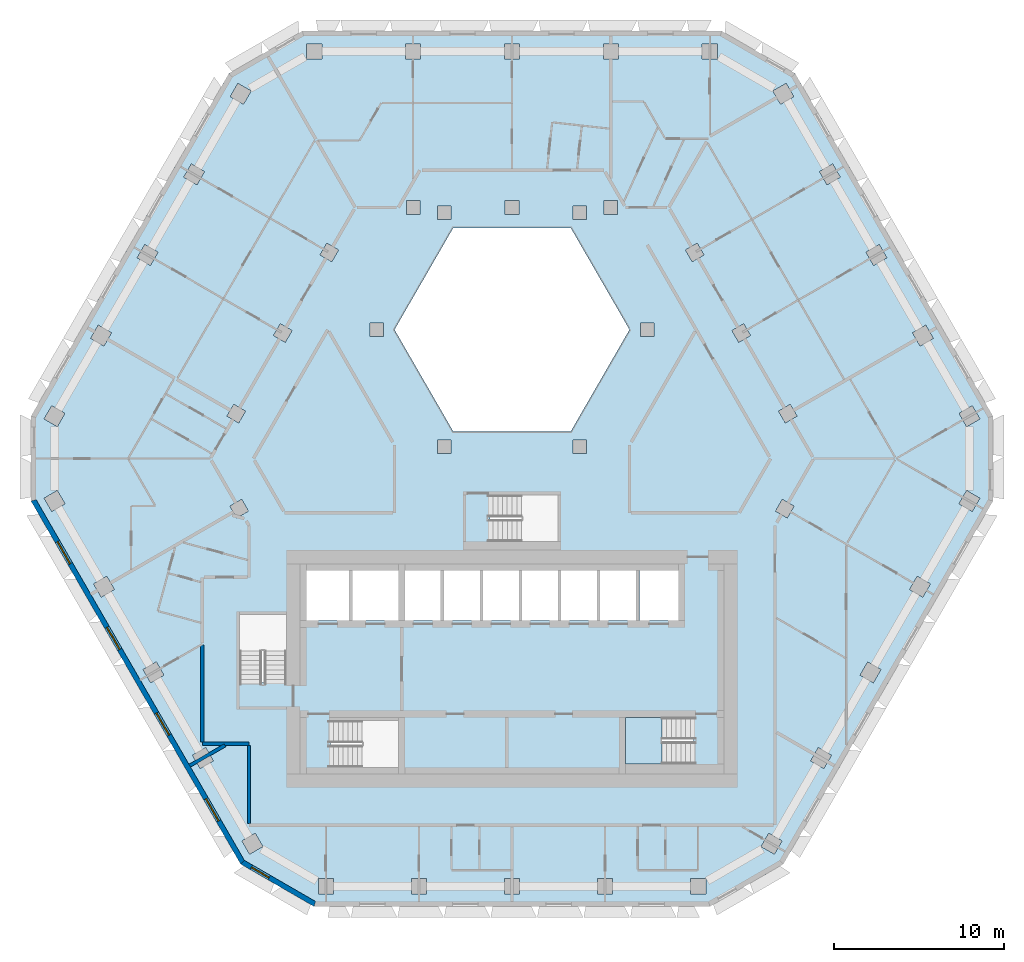
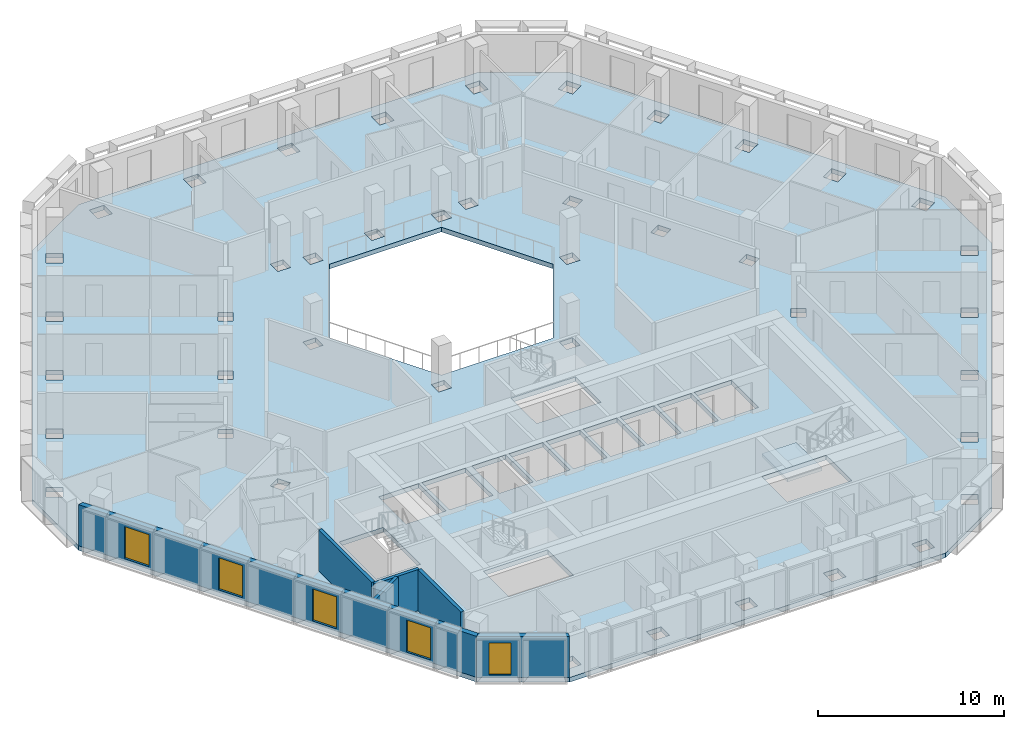
# One storey, part 2 of 15: 6 walls, 5 windows, 2 slabs, 5 openings, 1 element without a shape of its own.
"""IFC4 building model written with IfcOpenShell, lengths in metres."""

import ifcopenshell
import ifcopenshell.guid

model = None  # the IFC model being written
_history = None  # IfcOwnerHistory: only IFC2X3 demands one
_inside = {}  # id of a spatial element -> (the spatial element, [elements in it])
_under = {}  # id of a project, library or spatial element -> (it, [spatial elements below it])
_declared = {}  # id of a project -> (the project, [libraries it declares])
_typed = {}  # id of a type object -> (the type object, [elements of that type])
_made_of = {}  # id of a material, layer set ... -> (it, [elements and type objects made of it])


def new_model(schema):
    """Start an empty IFC model of exactly this schema.

    Asked for "IFC4X3", IfcOpenShell would pick the latest addendum, in which some entities
    have other attributes; the version numbers below select the first issue.
    IFC2X3 requires an IfcOwnerHistory on every rooted entity: one is made here for all.
    """
    global model, _history
    if schema == "IFC4X3":
        model = ifcopenshell.file(schema_version=(4, 3, 0, 0))
    else:
        model = ifcopenshell.file(schema=schema)
    _inside.clear()
    _under.clear()
    _declared.clear()
    _typed.clear()
    _made_of.clear()
    _history = None
    if model.schema == "IFC2X3":
        org = make("IfcOrganization", Name="unknown")
        user = make(
            "IfcPersonAndOrganization",
            ThePerson=make("IfcPerson", FamilyName="unknown"),
            TheOrganization=org,
        )
        app = make(
            "IfcApplication",
            ApplicationDeveloper=org,
            Version="unknown",
            ApplicationFullName="unknown",
            ApplicationIdentifier="unknown",
        )
        _history = make(
            "IfcOwnerHistory",
            OwningUser=user,
            OwningApplication=app,
            ChangeAction="ADDED",
            CreationDate=0,
        )
    return model


def make(cls, **values):
    """One entity of the class cls with the attributes given. An attribute that is None is left unset."""
    return model.create_entity(
        cls, **{name: value for name, value in values.items() if value is not None}
    )


def rooted(cls, **values):
    """An entity with a GlobalId (a new one), such as an element, a storey or a relation."""
    return make(cls, GlobalId=ifcopenshell.guid.new(), OwnerHistory=_history, **values)


def si_unit(unit_type, name, prefix=None):
    """IfcSIUnit, for example si_unit("LENGTHUNIT", "METRE", prefix="MILLI")."""
    return make("IfcSIUnit", UnitType=unit_type, Prefix=prefix, Name=name)


def assignment(units):
    """IfcUnitAssignment: the units of a project."""
    return None if units is None else make("IfcUnitAssignment", Units=units)


def point(xyz):
    """IfcCartesianPoint."""
    return None if xyz is None else make("IfcCartesianPoint", Coordinates=xyz)


def direction(xyz):
    """IfcDirection."""
    return None if xyz is None else make("IfcDirection", DirectionRatios=xyz)


def frame(location, z_axis=None, x_axis=None):
    """IfcAxis2Placement3D, a coordinate frame: its origin and axes. An axis left out is left unset."""
    return make(
        "IfcAxis2Placement3D",
        Location=point(location),
        Axis=direction(z_axis),
        RefDirection=direction(x_axis),
    )


def frame_2d(location, x_axis=None):
    """IfcAxis2Placement2D, a coordinate frame in the plane: its origin and x axis."""
    return make(
        "IfcAxis2Placement2D", Location=point(location), RefDirection=direction(x_axis)
    )


def origin():
    """The frame at (0, 0, 0) with its axes left unset."""
    return frame((0.0, 0.0, 0.0))


def place(relative_to, where):
    """IfcLocalPlacement: puts the frame where relative to a parent placement (None: the world)."""
    return make(
        "IfcLocalPlacement", PlacementRelTo=relative_to, RelativePlacement=where
    )


def context(
    kind, dimensions, precision=None, world=None, true_north=None, identifier=None
):
    """IfcGeometricRepresentationContext, for example the 3D "Model" context."""
    return make(
        "IfcGeometricRepresentationContext",
        ContextIdentifier=identifier,
        ContextType=kind,
        CoordinateSpaceDimension=dimensions,
        Precision=precision,
        WorldCoordinateSystem=world,
        TrueNorth=true_north,
    )


def subcontext(parent, identifier, kind, view, scale=None):
    """IfcGeometricRepresentationSubContext, for example "Body" below "Model"."""
    return make(
        "IfcGeometricRepresentationSubContext",
        ContextIdentifier=identifier,
        ContextType=kind,
        ParentContext=parent,
        TargetScale=scale,
        TargetView=view,
    )


def project(units=None, contexts=None):
    """IfcProject with its units and contexts."""
    return rooted(
        "IfcProject",
        Name="project",
        RepresentationContexts=contexts,
        UnitsInContext=assignment(units),
    )


def spatial(cls, under=None, at=None, **own):
    """A site, building, storey or space (cls), placed at a placement, below another one or the project."""
    s = rooted(cls, ObjectPlacement=at, **own)
    if under is not None:
        _under.setdefault(under.id(), (under, []))[1].append(s)
    return s


def polyline(points):
    """IfcPolyline through the points."""
    return make("IfcPolyline", Points=[point(p) for p in points])


def profile(cls, at=None, kind="AREA", **sizes):
    """A parametric profile (cls). Its sizes go by their IFC names, for example OverallWidth=200.0."""
    return make(cls, ProfileType=kind, Position=at, **sizes)


def rectangle(**sizes):
    """IfcRectangleProfileDef."""
    return profile("IfcRectangleProfileDef", **sizes)


def outline(outer, holes=None, kind="AREA"):
    """IfcArbitraryClosedProfileDef: a profile drawn as a closed curve; with holes, ...WithVoids."""
    if holes is None:
        return make("IfcArbitraryClosedProfileDef", ProfileType=kind, OuterCurve=outer)
    return make(
        "IfcArbitraryProfileDefWithVoids",
        ProfileType=kind,
        OuterCurve=outer,
        InnerCurves=holes,
    )


def extrude(swept, where, along, depth):
    """IfcExtrudedAreaSolid: the profile swept, set in the frame where, extruded along a direction by depth."""
    return make(
        "IfcExtrudedAreaSolid",
        SweptArea=swept,
        Position=where,
        ExtrudedDirection=direction(along),
        Depth=depth,
    )


def shape(context_of_items, identifier, shape_type, items):
    """IfcShapeRepresentation: the items that make up one representation, for example the "Body"."""
    return make(
        "IfcShapeRepresentation",
        ContextOfItems=context_of_items,
        RepresentationIdentifier=identifier,
        RepresentationType=shape_type,
        Items=items,
    )


def material(Name=None, Category=None):
    """IfcMaterial."""
    return make("IfcMaterial", Name=Name, Category=Category)


def layer(
    of_material, thickness, ventilated=None, Name=None, Category=None, Priority=None
):
    """IfcMaterialLayer: one layer of a wall or slab, of a material (None: an air gap)."""
    return make(
        "IfcMaterialLayer",
        Material=of_material,
        LayerThickness=thickness,
        IsVentilated=ventilated,
        Name=Name,
        Category=Category,
        Priority=Priority,
    )


def layer_set(layers, Name=None):
    """IfcMaterialLayerSet."""
    return make("IfcMaterialLayerSet", MaterialLayers=layers, LayerSetName=Name)


def made_of(thing, what):
    """Note that an element or type object is made of a material, layer set ...; save() writes the relation."""
    if what is not None:
        _made_of.setdefault(what.id(), (what, []))[1].append(thing)
    return thing


def type_object(cls, material=None, **own):
    """A type object (cls), such as IfcWallType, which elements share."""
    return made_of(rooted(cls, **own), material)


def element(
    cls,
    number,
    at=None,
    inside=None,
    cuts=None,
    type_object=None,
    material=None,
    context=None,
    identifier="Body",
    shape_type=None,
    held_by="IfcProductDefinitionShape",
    body=None,
    shapes=None,
    **own,
):
    """One element of the class cls, such as IfcWall. Its Tag is "e" and its number.

    at: its placement. inside: the storey or other place that contains it. cuts: it is an
    opening in that element (IfcRelVoidsElement). A single representation is given by context,
    identifier, shape_type and body (its items); several are given by shapes. held_by: the class
    of the entity that holds the representations. save() writes the other relations.
    """
    e = rooted(cls, Tag="e%d" % number, ObjectPlacement=at, **own)
    if body is not None:
        shapes = [shape(context, identifier, shape_type, body)]
    if shapes is not None:
        e.Representation = make(held_by, Representations=shapes)
    if inside is not None:
        _inside.setdefault(inside.id(), (inside, []))[1].append(e)
    if cuts is not None:
        rooted(
            "IfcRelVoidsElement", RelatingBuildingElement=cuts, RelatedOpeningElement=e
        )
    if type_object is not None:
        _typed.setdefault(type_object.id(), (type_object, []))[1].append(e)
    return made_of(e, material)


def fill(opening, filler):
    """IfcRelFillsElement: the door or window that sits in an opening."""
    return rooted(
        "IfcRelFillsElement",
        RelatingOpeningElement=opening,
        RelatedBuildingElement=filler,
    )


def aggregate(whole, parts):
    """IfcRelAggregates: a whole, such as a stair, and the parts it consists of."""
    return rooted("IfcRelAggregates", RelatingObject=whole, RelatedObjects=parts)


def save(model, path):
    """Write the relations noted so far, then the file.

    IfcRelAggregates (storeys below a building ...), IfcRelContainedInSpatialStructure (elements
    in a storey), IfcRelDefinesByType, IfcRelAssociatesMaterial and IfcRelDeclares: one each for
    every whole, place, type object, material and project.
    """
    for whole, parts in _under.values():
        aggregate(whole, parts)
    for where, things in _inside.values():
        rooted(
            "IfcRelContainedInSpatialStructure",
            RelatedElements=things,
            RelatingStructure=where,
        )
    for kind, things in _typed.values():
        rooted("IfcRelDefinesByType", RelatedObjects=things, RelatingType=kind)
    for what, things in _made_of.values():
        rooted("IfcRelAssociatesMaterial", RelatedObjects=things, RelatingMaterial=what)
    for by, libraries in _declared.values():
        rooted("IfcRelDeclares", RelatingContext=by, RelatedDefinitions=libraries)
    model.write(path)


model = new_model("IFC4")

# Units and contexts
model_context = context("Model", 3, precision=1e-05, world=origin(), true_north=direction((0.0, 1.0)))
body_context = subcontext(model_context, "Body", "Model", "MODEL_VIEW")
ifc_project = project(units=[si_unit("LENGTHUNIT", "METRE"), si_unit("AREAUNIT", "SQUARE_METRE"), si_unit("VOLUMEUNIT", "CUBIC_METRE"), si_unit("PLANEANGLEUNIT", "RADIAN"), si_unit("MASSUNIT", "GRAM", prefix="KILO")], contexts=[model_context])

# Site, building, storey
site_placement = place(None, origin())
site = spatial("IfcSite", under=ifc_project, at=site_placement, CompositionType="ELEMENT")
building_placement = place(site_placement, origin())
building = spatial("IfcBuilding", under=site, at=building_placement, Name="Beryl Residences", CompositionType="ELEMENT")
storey_placement = place(building_placement, frame((0.0, 0.0, 123.60009765625)))
storey = spatial("IfcBuildingStorey", under=building, at=storey_placement, Name="L37", CompositionType="ELEMENT", Elevation=123.60009765625)

# Slab
ifc_material_1 = material(Name="Concrete C40/50", Category="concrete")
ifc_layer_1 = layer(ifc_material_1, 0.300048828125)
ifc_layer_set_1 = layer_set([ifc_layer_1], Name="SL7 PT floor slab 300 mm C40/50")
slab_type_1 = type_object("IfcSlabType", Name="SL7 PT floor slab 300 mm C40/50", PredefinedType="FLOOR", material=ifc_layer_set_1)
slab_1_placement = place(storey_placement, frame((0.0, 0.0, -0.300048828125)))
element("IfcSlab", 1, at=slab_1_placement, inside=storey, type_object=slab_type_1, Name="L37 slab 1", PredefinedType="FLOOR", context=body_context, shape_type="SweptSolid", body=[
    extrude(outline(polyline([(28.347900390625, -2.10009765625), (15.991943359375, -23.5), (11.662109375, -26.0), (-11.662109375, -26.0), (-15.991943359375, -23.5), (-28.347900390625, -2.10009765625), (-28.347900390625, 2.89990234375), (-16.68505859375, 23.10009765625), (-12.35498046875, 25.60009765625), (12.35498046875, 25.60009765625), (16.68505859375, 23.10009765625), (28.347900390625, 2.89990234375), (28.347900390625, -2.10009765625)]), holes=[polyline([(27.1279296875, 3.514892578125), (26.347900390625, 3.06494140625), (26.798095703125, 2.284912109375), (27.577880859375, 2.735107421875), (27.1279296875, 3.514892578125)]), polyline([(26.7958984375, -1.486083984375), (26.345947265625, -2.26611328125), (27.1259765625, -2.716064453125), (27.575927734375, -1.93603515625), (26.7958984375, -1.486083984375)]), polyline([(23.60498046875, 7.81494140625), (24.054931640625, 7.034912109375), (24.8349609375, 7.485107421875), (24.385009765625, 8.264892578125), (23.60498046875, 7.81494140625)]), polyline([(24.660888671875, -6.986083984375), (23.881103515625, -6.535888671875), (23.430908203125, -7.31591796875), (24.2109375, -7.76611328125), (24.660888671875, -6.986083984375)]), polyline([(21.64306640625, 13.014892578125), (20.863037109375, 12.56494140625), (21.31298828125, 11.784912109375), (22.093017578125, 12.235107421875), (21.64306640625, 13.014892578125)]), polyline([(20.965087890625, -11.5859375), (20.514892578125, -12.365966796875), (21.294921875, -12.81591796875), (21.7451171875, -12.035888671875), (20.965087890625, -11.5859375)]), polyline([(18.1201171875, 17.31494140625), (18.570068359375, 16.534912109375), (19.35009765625, 16.985107421875), (18.89990234375, 17.764892578125), (18.1201171875, 17.31494140625)]), polyline([(18.830078125, -17.0859375), (18.050048828125, -16.635986328125), (17.60009765625, -17.416015625), (18.3798828125, -17.865966796875), (18.830078125, -17.0859375)]), polyline([(16.39892578125, 3.595947265625), (15.70703125, 3.196044921875), (16.10693359375, 2.50390625), (16.799072265625, 2.904052734375), (16.39892578125, 3.595947265625)]), polyline([(16.6240234375, -2.405029296875), (15.931884765625, -2.0048828125), (15.531982421875, -2.697021484375), (16.22412109375, -3.096923828125), (16.6240234375, -2.405029296875)]), polyline([(16.157958984375, 22.514892578125), (15.3779296875, 22.06494140625), (15.827880859375, 21.284912109375), (16.60791015625, 21.735107421875), (16.157958984375, 22.514892578125)]), polyline([(15.9140625, -22.135009765625), (15.134033203125, -21.68505859375), (14.68408203125, -22.465087890625), (15.464111328125, -22.9150390625), (15.9140625, -22.135009765625)]), polyline([(13.656005859375, 8.345947265625), (12.964111328125, 7.946044921875), (13.364013671875, 7.25390625), (14.055908203125, 7.654052734375), (13.656005859375, 8.345947265625)]), polyline([(11.2119140625, 24.85009765625), (11.2119140625, 23.949951171875), (12.112060546875, 23.949951171875), (12.112060546875, 24.85009765625), (11.2119140625, 24.85009765625)]), polyline([(11.4208984375, -24.35009765625), (10.52099609375, -24.35009765625), (10.52099609375, -25.25), (11.4208984375, -25.25), (11.4208984375, -24.35009765625)]), polyline([(10.221923828125, 12.696044921875), (10.6220703125, 12.00390625), (11.31396484375, 12.404052734375), (10.9140625, 13.095947265625), (10.221923828125, 12.696044921875)]), polyline([(6.699951171875, -14.85009765625), (6.699951171875, -17.60009765625), (10.699951171875, -17.60009765625), (10.699951171875, -14.85009765625), (6.699951171875, -14.85009765625)]), polyline([(7.5, -9.14990234375), (9.800048828125, -9.14990234375), (9.800048828125, -6.199951171875), (7.5, -6.199951171875), (7.5, -9.14990234375)]), polyline([(8.366943359375, 7.60009765625), (8.366943359375, 8.39990234375), (7.56689453125, 8.39990234375), (7.56689453125, 7.60009765625), (8.366943359375, 7.60009765625)]), polyline([(7.300048828125, -9.14990234375), (7.300048828125, -6.199951171875), (5.199951171875, -6.199951171875), (5.199951171875, -9.14990234375), (7.300048828125, -9.14990234375)]), polyline([(3.464111328125, 14.0), (-3.464111328125, 14.0), (-6.92822265625, 8.0), (-3.464111328125, 2.0), (3.464111328125, 2.0), (6.92822265625, 8.0), (3.464111328125, 14.0)]), polyline([(5.381103515625, 24.85009765625), (5.381103515625, 23.949951171875), (6.281005859375, 23.949951171875), (6.281005859375, 24.85009765625), (5.381103515625, 24.85009765625)]), polyline([(5.430908203125, 15.60009765625), (5.430908203125, 14.800048828125), (6.23095703125, 14.800048828125), (6.23095703125, 15.60009765625), (5.430908203125, 15.60009765625)]), polyline([(5.93603515625, -25.25), (5.93603515625, -24.35009765625), (5.035888671875, -24.35009765625), (5.035888671875, -25.25), (5.93603515625, -25.25)]), polyline([(2.89990234375, -9.14990234375), (5.0, -9.14990234375), (5.0, -6.199951171875), (2.89990234375, -6.199951171875), (2.89990234375, -9.14990234375)]), polyline([(4.384033203125, 14.5), (4.384033203125, 15.300048828125), (3.583984375, 15.300048828125), (3.583984375, 14.5), (4.384033203125, 14.5)]), polyline([(3.583984375, 1.5), (3.583984375, 0.699951171875), (4.384033203125, 0.699951171875), (4.384033203125, 1.5), (3.583984375, 1.5)]), polyline([(2.699951171875, -4.5), (2.699951171875, -1.75), (-1.300048828125, -1.75), (-1.300048828125, -4.5), (2.699951171875, -4.5)]), polyline([(0.60009765625, -9.14990234375), (2.699951171875, -9.14990234375), (2.699951171875, -6.199951171875), (0.60009765625, -6.199951171875), (0.60009765625, -9.14990234375)]), polyline([(0.450927734375, -24.35009765625), (-0.448974609375, -24.35009765625), (-0.448974609375, -25.25), (0.450927734375, -25.25), (0.450927734375, -24.35009765625)]), polyline([(-0.449951171875, 24.85009765625), (-0.449951171875, 23.949951171875), (0.449951171875, 23.949951171875), (0.449951171875, 24.85009765625), (-0.449951171875, 24.85009765625)]), polyline([(0.39990234375, -6.199951171875), (-1.699951171875, -6.199951171875), (-1.699951171875, -9.14990234375), (0.39990234375, -9.14990234375), (0.39990234375, -6.199951171875)]), polyline([(-0.39990234375, 15.60009765625), (-0.39990234375, 14.800048828125), (0.39990234375, 14.800048828125), (0.39990234375, 15.60009765625), (-0.39990234375, 15.60009765625)]), polyline([(-4.0, -9.14990234375), (-1.89990234375, -9.14990234375), (-1.89990234375, -6.199951171875), (-4.0, -6.199951171875), (-4.0, -9.14990234375)]), polyline([(-3.583984375, 14.5), (-3.583984375, 15.300048828125), (-4.384033203125, 15.300048828125), (-4.384033203125, 14.5), (-3.583984375, 14.5)]), polyline([(-3.583984375, 0.699951171875), (-3.583984375, 1.5), (-4.384033203125, 1.5), (-4.384033203125, 0.699951171875), (-3.583984375, 0.699951171875)]), polyline([(-6.300048828125, -9.14990234375), (-4.199951171875, -9.14990234375), (-4.199951171875, -6.199951171875), (-6.300048828125, -6.199951171875), (-6.300048828125, -9.14990234375)]), polyline([(-5.033935546875, -25.25), (-5.033935546875, -24.35009765625), (-5.93408203125, -24.35009765625), (-5.93408203125, -25.25), (-5.033935546875, -25.25)]), polyline([(-6.281005859375, 23.949951171875), (-5.381103515625, 23.949951171875), (-5.381103515625, 24.85009765625), (-6.281005859375, 24.85009765625), (-6.281005859375, 23.949951171875)]), polyline([(-6.23095703125, 14.800048828125), (-5.430908203125, 14.800048828125), (-5.430908203125, 15.60009765625), (-6.23095703125, 15.60009765625), (-6.23095703125, 14.800048828125)]), polyline([(-6.699951171875, -6.199951171875), (-9.39990234375, -6.199951171875), (-9.39990234375, -9.14990234375), (-6.699951171875, -9.14990234375), (-6.699951171875, -6.199951171875)]), polyline([(-10.699951171875, -15.050048828125), (-10.699951171875, -17.800048828125), (-6.699951171875, -17.800048828125), (-6.699951171875, -15.050048828125), (-10.699951171875, -15.050048828125)]), polyline([(-7.56689453125, 7.60009765625), (-7.56689453125, 8.39990234375), (-8.366943359375, 8.39990234375), (-8.366943359375, 7.60009765625), (-7.56689453125, 7.60009765625)]), polyline([(-12.10009765625, -9.14990234375), (-9.60009765625, -9.14990234375), (-9.60009765625, -6.199951171875), (-12.10009765625, -6.199951171875), (-12.10009765625, -9.14990234375)]), polyline([(-11.31396484375, 12.404052734375), (-10.6220703125, 12.00390625), (-10.221923828125, 12.696044921875), (-10.9140625, 13.095947265625), (-11.31396484375, 12.404052734375)]), polyline([(-11.4189453125, -24.35009765625), (-11.4189453125, -25.25), (-10.51904296875, -25.25), (-10.51904296875, -24.35009765625), (-11.4189453125, -24.35009765625)]), polyline([(-12.112060546875, 24.85009765625), (-12.112060546875, 23.949951171875), (-11.2119140625, 23.949951171875), (-11.2119140625, 24.85009765625), (-12.112060546875, 24.85009765625)]), polyline([(-14.055908203125, 7.654052734375), (-13.364013671875, 7.25390625), (-12.964111328125, 7.946044921875), (-13.656005859375, 8.345947265625), (-14.055908203125, 7.654052734375)]), polyline([(-13.300048828125, -8.800048828125), (-16.050048828125, -8.800048828125), (-16.050048828125, -12.800048828125), (-13.300048828125, -12.800048828125), (-13.300048828125, -8.800048828125)]), polyline([(-14.68505859375, -22.464111328125), (-15.135009765625, -21.68408203125), (-15.9150390625, -22.134033203125), (-15.465087890625, -22.9140625), (-14.68505859375, -22.464111328125)]), polyline([(-15.827880859375, 21.284912109375), (-15.3779296875, 22.06494140625), (-16.157958984375, 22.514892578125), (-16.60791015625, 21.735107421875), (-15.827880859375, 21.284912109375)]), polyline([(-15.532958984375, -2.695068359375), (-15.93310546875, -2.0029296875), (-16.625, -2.403076171875), (-16.22509765625, -3.094970703125), (-15.532958984375, -2.695068359375)]), polyline([(-16.10693359375, 2.50390625), (-15.70703125, 3.196044921875), (-16.39892578125, 3.595947265625), (-16.799072265625, 2.904052734375), (-16.10693359375, 2.50390625)]), polyline([(-17.60107421875, -17.4140625), (-18.051025390625, -16.634033203125), (-18.8310546875, -17.083984375), (-18.381103515625, -17.864013671875), (-17.60107421875, -17.4140625)]), polyline([(-19.35009765625, 16.985107421875), (-18.570068359375, 16.534912109375), (-18.1201171875, 17.31494140625), (-18.89990234375, 17.764892578125), (-19.35009765625, 16.985107421875)]), polyline([(-21.2958984375, -12.81396484375), (-20.51611328125, -12.364013671875), (-20.966064453125, -11.583984375), (-21.74609375, -12.033935546875), (-21.2958984375, -12.81396484375)]), polyline([(-20.863037109375, 12.56494140625), (-21.64306640625, 13.014892578125), (-22.093017578125, 12.235107421875), (-21.31298828125, 11.784912109375), (-20.863037109375, 12.56494140625)]), polyline([(-24.2119140625, -7.763916015625), (-23.431884765625, -7.31396484375), (-23.882080078125, -6.533935546875), (-24.662109375, -6.98388671875), (-24.2119140625, -7.763916015625)]), polyline([(-24.8349609375, 7.485107421875), (-24.054931640625, 7.034912109375), (-23.60498046875, 7.81494140625), (-24.385009765625, 8.264892578125), (-24.8349609375, 7.485107421875)]), polyline([(-27.126953125, -2.715087890625), (-26.346923828125, -2.264892578125), (-26.797119140625, -1.485107421875), (-27.576904296875, -1.93505859375), (-27.126953125, -2.715087890625)]), polyline([(-27.577880859375, 2.735107421875), (-26.798095703125, 2.284912109375), (-26.347900390625, 3.06494140625), (-27.1279296875, 3.514892578125), (-27.577880859375, 2.735107421875)])]), origin(), (0.0, 0.0, 1.0), 0.300048828125),
])

# Stair, slab
ifc_material_2 = material(Name="Concrete C40/50", Category="concrete")
stair_type = type_object("IfcStairType", Name="ST1 protected exit stair, half-turn, 1300 mm flights", PredefinedType="HALF_TURN_STAIR", material=ifc_material_2)
stair_placement = place(storey_placement, origin())
stair = element("IfcStair", 2, at=stair_placement, inside=storey, type_object=stair_type, Name="L37 PROTECTED EXIT STAIR ST-3", PredefinedType="HALF_TURN_STAIR")
ifc_material_3 = material(Name="Concrete C40/50", Category="concrete")
ifc_layer_2 = layer(ifc_material_3, 0.199951171875)
ifc_layer_set_2 = layer_set([ifc_layer_2], Name="SLD1 stair landing 200 mm")
slab_type_2 = type_object("IfcSlabType", Name="SLD1 stair landing 200 mm", PredefinedType="LANDING", material=ifc_layer_set_2)
slab_2_placement = place(storey_placement, frame((0.0, 0.0, 1.2998046875)))
slab_2 = element("IfcSlab", 3, at=slab_2_placement, type_object=slab_type_2, Name="ST-3 landing 1", PredefinedType="LANDING", context=body_context, shape_type="SweptSolid", body=[
    extrude(outline(polyline([(8.840087890625, -14.85009765625), (6.699951171875, -14.85009765625), (6.699951171875, -17.60009765625), (8.840087890625, -17.60009765625), (8.840087890625, -14.85009765625)])), origin(), (0.0, 0.0, 1.0), 0.2001953125),
])
aggregate(stair, [slab_2])

# Wall, openings, windows
ifc_material_4 = material(Name="Composite metal panel with mineral wool insulation")
ifc_layer_3 = layer(ifc_material_4, 0.300048828125)
ifc_layer_set_3 = layer_set([ifc_layer_3], Name="ES1 pale metal composite panel wall 300 mm")
wall_type_1 = type_object("IfcWallType", Name="ES1 pale metal composite panel wall 300 mm", PredefinedType="SOLIDWALL", material=ifc_layer_set_3)
wall_1_placement = place(storey_placement, frame((-28.218017578125, -2.02490234375, 0.0), z_axis=(0.0, 0.0, 1.0), x_axis=(0.500017503135, -0.866015298109, 0.0)))
wall_1 = element("IfcWall", 4, at=wall_1_placement, inside=storey, type_object=wall_type_1, Name="ES1 external wall L37 SW", PredefinedType="SOLIDWALL", context=body_context, shape_type="SweptSolid", body=[
    extrude(outline(polyline([(0.0, -0.14990234375), (24.7109375, -0.14990234375), (24.630615234375, 0.14990234375), (0.080322265625, 0.14990234375), (0.0, -0.14990234375)])), origin(), (0.0, 0.0, 1.0), 2.699951171875),
])
opening_1_placement = place(wall_1_placement, frame((2.85693359375, 0.0, 0.14990234375)))
opening_1 = element("IfcOpeningElement", 5, at=opening_1_placement, cuts=wall_1, Name="Opening W1", PredefinedType="OPENING", context=body_context, shape_type="SweptSolid", body=[
    extrude(rectangle(XDim=1.5, YDim=2.10009765625, at=frame_2d((0.75, 1.050048828125))), frame((0.0, 0.159912109375, 0.0), z_axis=(0.0, -1.0, 0.0), x_axis=(1.0, 0.0, 0.0)), (0.0, 0.0, 1.0), 0.320068359375),
])
opening_2_placement = place(wall_1_placement, frame((8.68896484375, 0.0, 0.14990234375)))
opening_2 = element("IfcOpeningElement", 6, at=opening_2_placement, cuts=wall_1, Name="Opening W1", PredefinedType="OPENING", context=body_context, shape_type="SweptSolid", body=[
    extrude(rectangle(XDim=1.5, YDim=2.10009765625, at=frame_2d((0.75, 1.050048828125))), frame((0.0, 0.159912109375, 0.0), z_axis=(0.0, -1.0, 0.0), x_axis=(1.0, 0.0, 0.0)), (0.0, 0.0, 1.0), 0.320068359375),
])
opening_3_placement = place(wall_1_placement, frame((14.52001953125, 0.0, 0.14990234375)))
opening_3 = element("IfcOpeningElement", 7, at=opening_3_placement, cuts=wall_1, Name="Opening W1", PredefinedType="OPENING", context=body_context, shape_type="SweptSolid", body=[
    extrude(rectangle(XDim=1.5, YDim=2.10009765625, at=frame_2d((0.75, 1.050048828125))), frame((0.0, 0.159912109375, 0.0), z_axis=(0.0, -1.0, 0.0), x_axis=(1.0, 0.0, 0.0)), (0.0, 0.0, 1.0), 0.320068359375),
])
opening_4_placement = place(wall_1_placement, frame((20.35107421875, 0.0, 0.14990234375)))
opening_4 = element("IfcOpeningElement", 8, at=opening_4_placement, cuts=wall_1, Name="Opening W1", PredefinedType="OPENING", context=body_context, shape_type="SweptSolid", body=[
    extrude(rectangle(XDim=1.5, YDim=2.10009765625, at=frame_2d((0.75, 1.050048828125))), frame((0.0, 0.159912109375, 0.0), z_axis=(0.0, -1.0, 0.0), x_axis=(1.0, 0.0, 0.0)), (0.0, 0.0, 1.0), 0.320068359375),
])
ifc_material_5 = material(Name="Aluminium and clear glass", Category="aluminium")
window_type_1 = type_object("IfcWindowType", Name="W1 cell window 1500 x 2100 mm", PartitioningType="SINGLE_PANEL", PredefinedType="WINDOW", material=ifc_material_5)
window_1_placement = place(opening_1_placement, origin())
window_1 = element("IfcWindow", 9, at=window_1_placement, inside=storey, type_object=window_type_1, Name="W1 window L37 SW 2", OverallHeight=2.10009765625, OverallWidth=1.5, PartitioningType="SINGLE_PANEL", PredefinedType="WINDOW", context=body_context, shape_type="SweptSolid", body=[
    extrude(rectangle(XDim=1.5, YDim=2.10009765625, at=frame_2d((0.75, 1.050048828125))), frame((0.0, 0.030029296875, 0.0), z_axis=(0.0, -1.0, 0.0), x_axis=(1.0, 0.0, 0.0)), (0.0, 0.0, 1.0), 0.06005859375),
])
fill(opening_1, window_1)
window_2_placement = place(opening_2_placement, origin())
window_2 = element("IfcWindow", 10, at=window_2_placement, inside=storey, type_object=window_type_1, Name="W1 window L37 SW 4", OverallHeight=2.10009765625, OverallWidth=1.5, PartitioningType="SINGLE_PANEL", PredefinedType="WINDOW", context=body_context, shape_type="SweptSolid", body=[
    extrude(rectangle(XDim=1.5, YDim=2.10009765625, at=frame_2d((0.75, 1.050048828125))), frame((0.0, 0.030029296875, 0.0), z_axis=(0.0, -1.0, 0.0), x_axis=(1.0, 0.0, 0.0)), (0.0, 0.0, 1.0), 0.06005859375),
])
fill(opening_2, window_2)
window_3_placement = place(opening_3_placement, origin())
window_3 = element("IfcWindow", 11, at=window_3_placement, inside=storey, type_object=window_type_1, Name="W1 window L37 SW 6", OverallHeight=2.10009765625, OverallWidth=1.5, PartitioningType="SINGLE_PANEL", PredefinedType="WINDOW", context=body_context, shape_type="SweptSolid", body=[
    extrude(rectangle(XDim=1.5, YDim=2.10009765625, at=frame_2d((0.75, 1.050048828125))), frame((0.0, 0.030029296875, 0.0), z_axis=(0.0, -1.0, 0.0), x_axis=(1.0, 0.0, 0.0)), (0.0, 0.0, 1.0), 0.06005859375),
])
fill(opening_3, window_3)
window_4_placement = place(opening_4_placement, origin())
window_4 = element("IfcWindow", 12, at=window_4_placement, inside=storey, type_object=window_type_1, Name="W1 window L37 SW 8", OverallHeight=2.10009765625, OverallWidth=1.5, PartitioningType="SINGLE_PANEL", PredefinedType="WINDOW", context=body_context, shape_type="SweptSolid", body=[
    extrude(rectangle(XDim=1.5, YDim=2.10009765625, at=frame_2d((0.75, 1.050048828125))), frame((0.0, 0.030029296875, 0.0), z_axis=(0.0, -1.0, 0.0), x_axis=(1.0, 0.0, 0.0)), (0.0, 0.0, 1.0), 0.06005859375),
])
fill(opening_4, window_4)

# Wall, opening, window
wall_2_placement = place(storey_placement, frame((-15.9169921875, -23.3701171875, 0.0), z_axis=(0.0, 0.0, 1.0), x_axis=(0.866022959057, -0.500004234368, 0.0)))
wall_2 = element("IfcWall", 13, at=wall_2_placement, inside=storey, type_object=wall_type_1, Name="ES1 external wall L37 SW-S", PredefinedType="SOLIDWALL", context=body_context, shape_type="SweptSolid", body=[
    extrude(outline(polyline([(0.0, -0.14990234375), (5.0, -0.14990234375), (4.919677734375, 0.14990234375), (0.080322265625, 0.14990234375), (0.0, -0.14990234375)])), origin(), (0.0, 0.0, 1.0), 2.699951171875),
])
opening_5_placement = place(wall_2_placement, frame((0.64990234375, 0.0, 0.14990234375)))
opening_5 = element("IfcOpeningElement", 14, at=opening_5_placement, cuts=wall_2, Name="Opening W2", PredefinedType="OPENING", context=body_context, shape_type="SweptSolid", body=[
    extrude(rectangle(XDim=1.199951171875, YDim=2.10009765625, at=frame_2d((0.60009765625, 1.050048828125))), frame((0.0, 0.159912109375, 0.0), z_axis=(0.0, -1.0, 0.0), x_axis=(1.0, 0.0, 0.0)), (0.0, 0.0, 1.0), 0.320068359375),
])
ifc_material_6 = material(Name="Aluminium and clear glass", Category="aluminium")
window_type_2 = type_object("IfcWindowType", Name="W2 chamfer window 1200 x 2100 mm", PartitioningType="SINGLE_PANEL", PredefinedType="WINDOW", material=ifc_material_6)
window_5_placement = place(opening_5_placement, origin())
window_5 = element("IfcWindow", 15, at=window_5_placement, inside=storey, type_object=window_type_2, Name="W2 window L37 SW-S 1", OverallHeight=2.10009765625, OverallWidth=1.199951171875, PartitioningType="SINGLE_PANEL", PredefinedType="WINDOW", context=body_context, shape_type="SweptSolid", body=[
    extrude(rectangle(XDim=1.199951171875, YDim=2.10009765625, at=frame_2d((0.60009765625, 1.050048828125))), frame((0.0, 0.030029296875, 0.0), z_axis=(0.0, -1.0, 0.0), x_axis=(1.0, 0.0, 0.0)), (0.0, 0.0, 1.0), 0.06005859375),
])
fill(opening_5, window_5)

# Walls
ifc_material_7 = material(Name="Acoustic double stud gypsum board wall")
ifc_layer_4 = layer(ifc_material_7, 0.199951171875)
ifc_layer_set_4 = layer_set([ifc_layer_4], Name="PT3 party wall 200 mm acoustic double stud")
wall_type_2 = type_object("IfcWallType", Name="PT3 party wall 200 mm acoustic double stud", PredefinedType="PARTITIONING", material=ifc_layer_set_4)
wall_3_placement = place(storey_placement, frame((-18.9951171875, -17.698974609375, 0.0), z_axis=(0.0, 0.0, 1.0), x_axis=(0.86607371389, 0.499916315105, 0.0)))
element("IfcWall", 16, at=wall_3_placement, inside=storey, type_object=wall_type_2, Name="Wall PT3 L37 012", PredefinedType="PARTITIONING", context=body_context, shape_type="SweptSolid", body=[
    extrude(rectangle(XDim=2.3984375, YDim=0.199951171875, at=frame_2d((1.19921875, 0.0))), origin(), (0.0, 0.0, 1.0), 2.699951171875),
])
ifc_material_8 = material(Name="Double stud gypsum board wall")
ifc_layer_5 = layer(ifc_material_8, 0.199951171875)
ifc_layer_set_5 = layer_set([ifc_layer_5], Name="PT4 corridor wall 200 mm double stud")
wall_type_3 = type_object("IfcWallType", Name="PT4 corridor wall 200 mm double stud", PredefinedType="PARTITIONING", material=ifc_layer_set_5)
wall_4_placement = place(storey_placement, frame((-15.5, -16.5, 0.0), z_axis=(0.0, 0.0, 1.0), x_axis=(0.0, -1.0, 0.0)))
element("IfcWall", 17, at=wall_4_placement, inside=storey, type_object=wall_type_3, Name="Wall PT4 L37 008", PredefinedType="PARTITIONING", context=body_context, shape_type="SweptSolid", body=[
    extrude(rectangle(XDim=4.59912109375, YDim=0.199951171875, at=frame_2d((2.299560546875, 0.0))), origin(), (0.0, 0.0, 1.0), 2.699951171875),
])
wall_5_placement = place(storey_placement, frame((-18.25, -10.593017578125, 0.0), z_axis=(0.0, 0.0, 1.0), x_axis=(0.0, -1.0, 0.0)))
element("IfcWall", 18, at=wall_5_placement, inside=storey, type_object=wall_type_3, Name="Wall PT4 L37 009", PredefinedType="PARTITIONING", context=body_context, shape_type="SweptSolid", body=[
    extrude(rectangle(XDim=5.7060546875, YDim=0.199951171875, at=frame_2d((2.85302734375, 0.0))), origin(), (0.0, 0.0, 1.0), 2.699951171875),
])
wall_6_placement = place(storey_placement, frame((-18.2490234375, -16.39990234375, 0.0), z_axis=(0.0, 0.0, 1.0), x_axis=(1.0, 0.0, 0.0)))
element("IfcWall", 19, at=wall_6_placement, inside=storey, type_object=wall_type_3, Name="Wall PT4 L37 011", PredefinedType="PARTITIONING", context=body_context, shape_type="SweptSolid", body=[
    extrude(rectangle(XDim=2.7490234375, YDim=0.199951171875, at=frame_2d((1.37451171875, 0.0))), origin(), (0.0, 0.0, 1.0), 2.699951171875),
])

save(model, "model.ifc")
